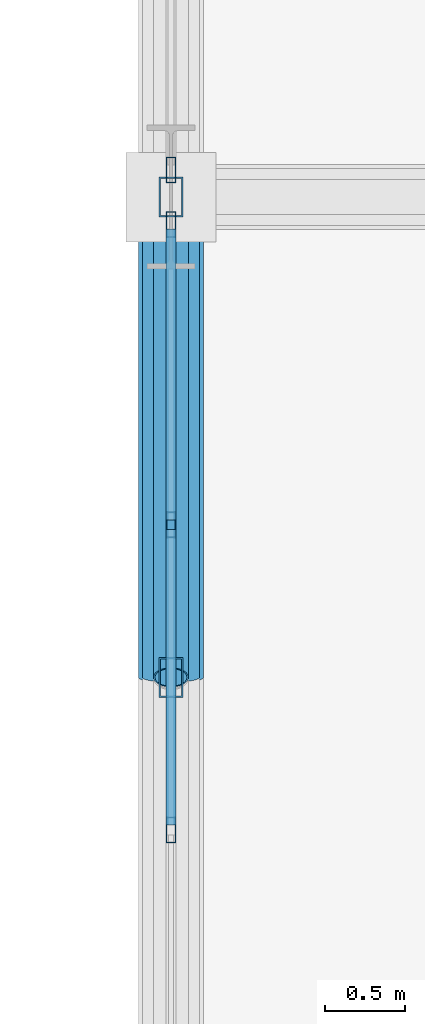
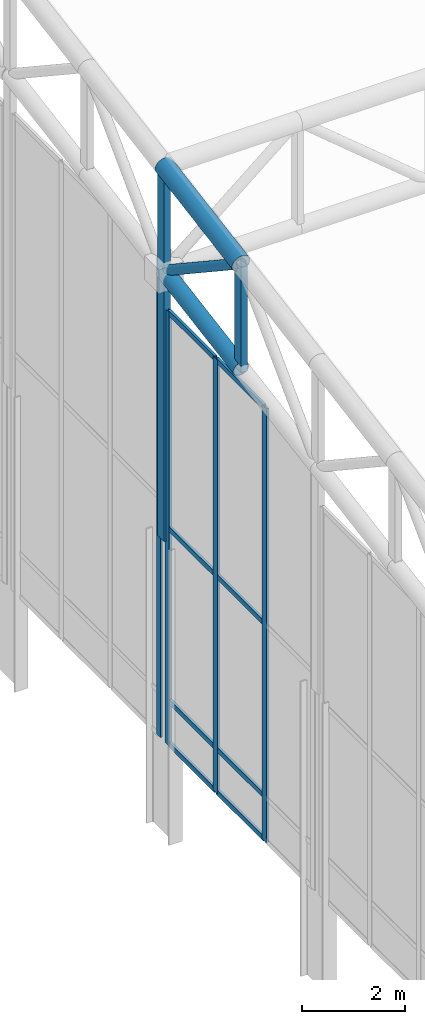
# One storey, part 79 of 239: 17 members, 2 elements without a shape of their own.
"""IFC4 building model written with IfcOpenShell, lengths in metres."""

from ifc_helpers import new_model, si_unit, direction, frame, origin, origin_2d, place, context, subcontext, project, spatial, hollow_rectangle, hollow_circle, extrude, material, material_profile, profile_set, type_object, element, aggregate, save


model = new_model("IFC4")

# Units and contexts
model_context = context("Model", 3, precision=1e-05, world=origin(), true_north=direction((0.0, 1.0)))
body_context = subcontext(model_context, "Body", "Model", "MODEL_VIEW")
ifc_project = project(units=[si_unit("LENGTHUNIT", "METRE"), si_unit("AREAUNIT", "SQUARE_METRE"), si_unit("VOLUMEUNIT", "CUBIC_METRE"), si_unit("PLANEANGLEUNIT", "RADIAN"), si_unit("MASSUNIT", "GRAM", prefix="KILO")], contexts=[model_context])

# Site, building, storey
site_placement = place(None, origin())
site = spatial("IfcSite", under=ifc_project, at=site_placement, CompositionType="ELEMENT")
building_placement = place(site_placement, origin())
building = spatial("IfcBuilding", under=site, at=building_placement, Name="Kaldris Quays Convention Centre", CompositionType="ELEMENT")
storey_placement = place(building_placement, frame((0.0, 0.0, 11.39990234375)))
storey = spatial("IfcBuildingStorey", under=building, at=storey_placement, Name="L02", CompositionType="ELEMENT", Elevation=11.39990234375)

# Curtain wall, members
ifc_material_1 = material(Name="Anodized aluminium AW-6060 and triple glazing", Category="aluminium")
curtain_wall_type = type_object("IfcCurtainWallType", Name="UNITISED CURTAIN WALL CW03", PredefinedType="NOTDEFINED", material=ifc_material_1)
curtain_wall_1_placement = place(storey_placement, origin())
curtain_wall_1 = element("IfcCurtainWall", 1, at=curtain_wall_1_placement, inside=storey, type_object=curtain_wall_type, Name="L02 Unitised Curtain Wall CW03 218", PredefinedType="NOTDEFINED")
ifc_material_2 = material(Name="Anodized aluminium AW-6060", Category="aluminium")
ifc_material_profile_1 = material_profile(ifc_material_2, hollow_rectangle(XDim=0.06005859375, YDim=0.159912109375, WallThickness=0.00390625, at=origin_2d()), Name="RHS 160x60x4")
ifc_profile_set_1 = profile_set([ifc_material_profile_1], Name="Anodized aluminium AW-6060")
member_type_1 = type_object("IfcMemberType", Name="CURTAIN MULLION CWM1", PredefinedType="MULLION", material=ifc_profile_set_1)
member_1_placement = place(storey_placement, frame((20.0, 88.046630859375, 2.195068359375), z_axis=(0.0, 0.0, 1.0), x_axis=(-1.0, 0.0, 0.0)))
member_1 = element("IfcMember", 2, at=member_1_placement, type_object=member_type_1, Name="CW03 mullion 2", PredefinedType="MULLION", context=body_context, shape_type="SweptSolid", body=[
    extrude(hollow_rectangle(XDim=0.06005859375, YDim=0.159912109375, WallThickness=0.00390625, at=origin_2d()), origin(), (0.0, 0.0, 1.0), 10.31201171875),
])
member_2_placement = place(storey_placement, frame((20.0, 89.953369140625, 2.195068359375), z_axis=(0.0, 0.0, 1.0), x_axis=(-1.0, 0.0, 0.0)))
member_2 = element("IfcMember", 3, at=member_2_placement, type_object=member_type_1, Name="CW03 mullion 3", PredefinedType="MULLION", context=body_context, shape_type="SweptSolid", body=[
    extrude(hollow_rectangle(XDim=0.06005859375, YDim=0.159912109375, WallThickness=0.00390625, at=origin_2d()), origin(), (0.0, 0.0, 1.0), 10.31201171875),
])
member_3_placement = place(storey_placement, frame((20.0, 91.830078125, 2.195068359375), z_axis=(0.0, 0.0, 1.0), x_axis=(-1.0, 0.0, 0.0)))
member_3 = element("IfcMember", 4, at=member_3_placement, type_object=member_type_1, Name="CW03 mullion 4", PredefinedType="MULLION", context=body_context, shape_type="SweptSolid", body=[
    extrude(hollow_rectangle(XDim=0.06005859375, YDim=0.159912109375, WallThickness=0.00390625, at=origin_2d()), origin(), (0.0, 0.0, 1.0), 10.31201171875),
])

# Curtain wall, member
curtain_wall_2_placement = place(storey_placement, origin())
curtain_wall_2 = element("IfcCurtainWall", 5, at=curtain_wall_2_placement, inside=storey, type_object=curtain_wall_type, Name="L02 Unitised Curtain Wall CW03 219", PredefinedType="NOTDEFINED")
member_4_placement = place(storey_placement, frame((20.0, 92.169921875, 2.195068359375), z_axis=(0.0, 0.0, 1.0), x_axis=(-1.0, 0.0, 0.0)))
member_4 = element("IfcMember", 6, at=member_4_placement, type_object=member_type_1, Name="CW03 mullion 1", PredefinedType="MULLION", context=body_context, shape_type="SweptSolid", body=[
    extrude(hollow_rectangle(XDim=0.06005859375, YDim=0.159912109375, WallThickness=0.00390625, at=origin_2d()), origin(), (0.0, 0.0, 1.0), 11.341064453125),
])
aggregate(curtain_wall_2, [member_4])

# Member
ifc_material_profile_2 = material_profile(ifc_material_2, hollow_rectangle(XDim=0.06005859375, YDim=0.1201171875, WallThickness=0.00390625, at=origin_2d()), Name="RHS 120x60x4")
ifc_profile_set_2 = profile_set([ifc_material_profile_2], Name="Anodized aluminium AW-6060")
member_type_2 = type_object("IfcMemberType", Name="CURTAIN TRANSOM CWT1", PredefinedType="USERDEFINED", material=ifc_profile_set_2)
member_5_placement = place(storey_placement, frame((20.0, 88.07666015625, 2.22509765625), z_axis=(0.0, 1.0, 0.0), x_axis=(-1.0, 0.0, 0.0)))
member_5 = element("IfcMember", 7, at=member_5_placement, type_object=member_type_2, Name="CW03 transom 2.1", ObjectType="TRANSOM", PredefinedType="USERDEFINED", context=body_context, shape_type="SweptSolid", body=[
    extrude(hollow_rectangle(XDim=0.06005859375, YDim=0.1201171875, WallThickness=0.00390625, at=origin_2d()), origin(), (0.0, 0.0, 1.0), 1.8466796875),
])

member_6_placement = place(storey_placement, frame((20.0, 88.07666015625, 3.2451171875), z_axis=(0.0, 1.0, 0.0), x_axis=(-1.0, 0.0, 0.0)))
member_6 = element("IfcMember", 8, at=member_6_placement, type_object=member_type_2, Name="CW03 transom 2.2", ObjectType="TRANSOM", PredefinedType="USERDEFINED", context=body_context, shape_type="SweptSolid", body=[
    extrude(hollow_rectangle(XDim=0.06005859375, YDim=0.1201171875, WallThickness=0.00390625, at=origin_2d()), origin(), (0.0, 0.0, 1.0), 1.8466796875),
])

member_7_placement = place(storey_placement, frame((20.0, 88.07666015625, 7.35107421875), z_axis=(0.0, 1.0, 0.0), x_axis=(-1.0, 0.0, 0.0)))
member_7 = element("IfcMember", 9, at=member_7_placement, type_object=member_type_2, Name="CW03 transom 2.3", ObjectType="TRANSOM", PredefinedType="USERDEFINED", context=body_context, shape_type="SweptSolid", body=[
    extrude(hollow_rectangle(XDim=0.06005859375, YDim=0.1201171875, WallThickness=0.00390625, at=origin_2d()), origin(), (0.0, 0.0, 1.0), 1.8466796875),
])

member_8_placement = place(storey_placement, frame((20.0, 88.07666015625, 12.47705078125), z_axis=(0.0, 1.0, 0.0), x_axis=(-1.0, 0.0, 0.0)))
member_8 = element("IfcMember", 10, at=member_8_placement, type_object=member_type_2, Name="CW03 transom 2.4", ObjectType="TRANSOM", PredefinedType="USERDEFINED", context=body_context, shape_type="SweptSolid", body=[
    extrude(hollow_rectangle(XDim=0.06005859375, YDim=0.1201171875, WallThickness=0.00390625, at=origin_2d()), origin(), (0.0, 0.0, 1.0), 1.8466796875),
])

member_9_placement = place(storey_placement, frame((20.0, 89.9833984375, 2.22509765625), z_axis=(0.0, 1.0, 0.0), x_axis=(-1.0, 0.0, 0.0)))
member_9 = element("IfcMember", 11, at=member_9_placement, type_object=member_type_2, Name="CW03 transom 3.1", ObjectType="TRANSOM", PredefinedType="USERDEFINED", context=body_context, shape_type="SweptSolid", body=[
    extrude(hollow_rectangle(XDim=0.06005859375, YDim=0.1201171875, WallThickness=0.00390625, at=origin_2d()), origin(), (0.0, 0.0, 1.0), 1.816650390625),
])

member_10_placement = place(storey_placement, frame((20.0, 89.9833984375, 3.2451171875), z_axis=(0.0, 1.0, 0.0), x_axis=(-1.0, 0.0, 0.0)))
member_10 = element("IfcMember", 12, at=member_10_placement, type_object=member_type_2, Name="CW03 transom 3.2", ObjectType="TRANSOM", PredefinedType="USERDEFINED", context=body_context, shape_type="SweptSolid", body=[
    extrude(hollow_rectangle(XDim=0.06005859375, YDim=0.1201171875, WallThickness=0.00390625, at=origin_2d()), origin(), (0.0, 0.0, 1.0), 1.816650390625),
])

member_11_placement = place(storey_placement, frame((20.0, 89.9833984375, 7.35107421875), z_axis=(0.0, 1.0, 0.0), x_axis=(-1.0, 0.0, 0.0)))
member_11 = element("IfcMember", 13, at=member_11_placement, type_object=member_type_2, Name="CW03 transom 3.3", ObjectType="TRANSOM", PredefinedType="USERDEFINED", context=body_context, shape_type="SweptSolid", body=[
    extrude(hollow_rectangle(XDim=0.06005859375, YDim=0.1201171875, WallThickness=0.00390625, at=origin_2d()), origin(), (0.0, 0.0, 1.0), 1.816650390625),
])

member_12_placement = place(storey_placement, frame((20.0, 89.9833984375, 12.47705078125), z_axis=(0.0, 1.0, 0.0), x_axis=(-1.0, 0.0, 0.0)))
member_12 = element("IfcMember", 14, at=member_12_placement, type_object=member_type_2, Name="CW03 transom 3.4", ObjectType="TRANSOM", PredefinedType="USERDEFINED", context=body_context, shape_type="SweptSolid", body=[
    extrude(hollow_rectangle(XDim=0.06005859375, YDim=0.1201171875, WallThickness=0.00390625, at=origin_2d()), origin(), (0.0, 0.0, 1.0), 1.816650390625),
])

aggregate(curtain_wall_1, [member_1, member_2, member_3, member_5, member_6, member_7, member_8, member_9, member_10, member_11, member_12])

# Members
ifc_material_3 = material(Name="Steel S355J2H", Category="steel")
ifc_material_profile_3 = material_profile(ifc_material_3, hollow_circle(Radius=0.203125, WallThickness=0.01611328125, at=origin_2d()), Name="CHS 406.4x16")
ifc_profile_set_3 = profile_set([ifc_material_profile_3], Name="Steel S355J2H")
member_type_3 = type_object("IfcMemberType", Name="STRUCTURAL MEMBER SC01", PredefinedType="CHORD", material=ifc_profile_set_3)
member_13_placement = place(storey_placement, frame((20.0, 89.0, 15.3291015625), z_axis=(0.0, 0.98562912375, 0.168923741424), x_axis=(-1.0, 0.0, 0.0)))
element("IfcMember", 15, at=member_13_placement, inside=storey, type_object=member_type_3, Name="SF-V1 Top Chord Y 348", PredefinedType="CHORD", context=body_context, shape_type="SweptSolid", body=[
    extrude(hollow_circle(Radius=0.203125, WallThickness=0.01611328125, at=origin_2d()), origin(), (0.0, 0.0, 1.0), 3.043701171875),
])
ifc_material_profile_4 = material_profile(ifc_material_3, hollow_circle(Radius=0.177734375, WallThickness=0.01611328125, at=origin_2d()), Name="CHS 355.6x16")
ifc_profile_set_4 = profile_set([ifc_material_profile_4], Name="Steel S355J2H")
member_type_4 = type_object("IfcMemberType", Name="STRUCTURAL MEMBER SC02", PredefinedType="CHORD", material=ifc_profile_set_4)
member_14_placement = place(storey_placement, frame((20.0, 89.0, 12.8291015625), z_axis=(0.0, 0.98562912375, 0.168923741424), x_axis=(-1.0, 0.0, 0.0)))
element("IfcMember", 16, at=member_14_placement, inside=storey, type_object=member_type_4, Name="SF-V1 Bottom Chord Y 348", PredefinedType="CHORD", context=body_context, shape_type="SweptSolid", body=[
    extrude(hollow_circle(Radius=0.177734375, WallThickness=0.01611328125, at=origin_2d()), origin(), (0.0, 0.0, 1.0), 3.043701171875),
])
ifc_material_profile_5 = material_profile(ifc_material_3, hollow_circle(Radius=0.109619140625, WallThickness=0.010009765625, at=origin_2d()), Name="CHS 219.1x10")
ifc_profile_set_5 = profile_set([ifc_material_profile_5], Name="Steel S355J2H")
member_type_5 = type_object("IfcMemberType", Name="STRUCTURAL MEMBER SWB1", PredefinedType="BRACE", material=ifc_profile_set_5)
member_15_placement = place(storey_placement, frame((20.0, 92.0, 13.34326171875), z_axis=(0.0, -0.833862389808, 0.551972385962), x_axis=(1.0, 0.0, 0.0)))
element("IfcMember", 17, at=member_15_placement, inside=storey, type_object=member_type_5, Name="SF-V1 Web Diagonal Y 348", PredefinedType="BRACE", context=body_context, shape_type="SweptSolid", body=[
    extrude(hollow_circle(Radius=0.109619140625, WallThickness=0.010009765625, at=origin_2d()), origin(), (0.0, 0.0, 1.0), 3.59765625),
])
ifc_material_profile_6 = material_profile(ifc_material_3, hollow_rectangle(XDim=0.14990234375, YDim=0.25, WallThickness=0.010009765625, at=origin_2d()), Name="RHS 250x150x10")
ifc_profile_set_6 = profile_set([ifc_material_profile_6], Name="Steel S355J2H")
member_type_6 = type_object("IfcMemberType", Name="STRUCTURAL MEMBER TTV1", PredefinedType="POST", material=ifc_profile_set_6)
member_16_placement = place(storey_placement, frame((20.0, 89.0, 12.8291015625), z_axis=(0.0, 0.0, 1.0), x_axis=(1.0, 0.0, 0.0)))
element("IfcMember", 18, at=member_16_placement, inside=storey, type_object=member_type_6, Name="SF-V1 Space-Frame Post 12", PredefinedType="POST", context=body_context, shape_type="SweptSolid", body=[
    extrude(hollow_rectangle(XDim=0.14990234375, YDim=0.25, WallThickness=0.010009765625, at=origin_2d()), origin(), (0.0, 0.0, 1.0), 2.5),
])
member_17_placement = place(storey_placement, frame((20.0, 92.0, 6.994140625), z_axis=(0.0, 0.0, 1.0), x_axis=(1.0, 0.0, 0.0)))
element("IfcMember", 19, at=member_17_placement, inside=storey, type_object=member_type_6, Name="SF-V1 Space-Frame Post 13", PredefinedType="POST", context=body_context, shape_type="SweptSolid", body=[
    extrude(hollow_rectangle(XDim=0.14990234375, YDim=0.25, WallThickness=0.010009765625, at=origin_2d()), origin(), (0.0, 0.0, 1.0), 8.84912109375),
])

save(model, "model.ifc")
